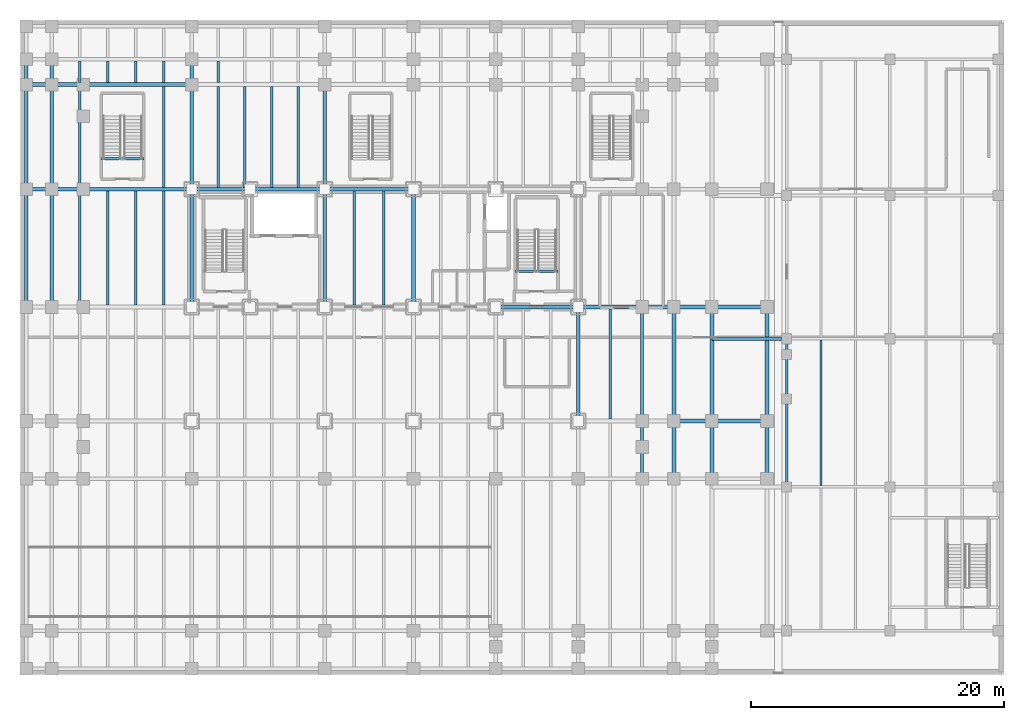
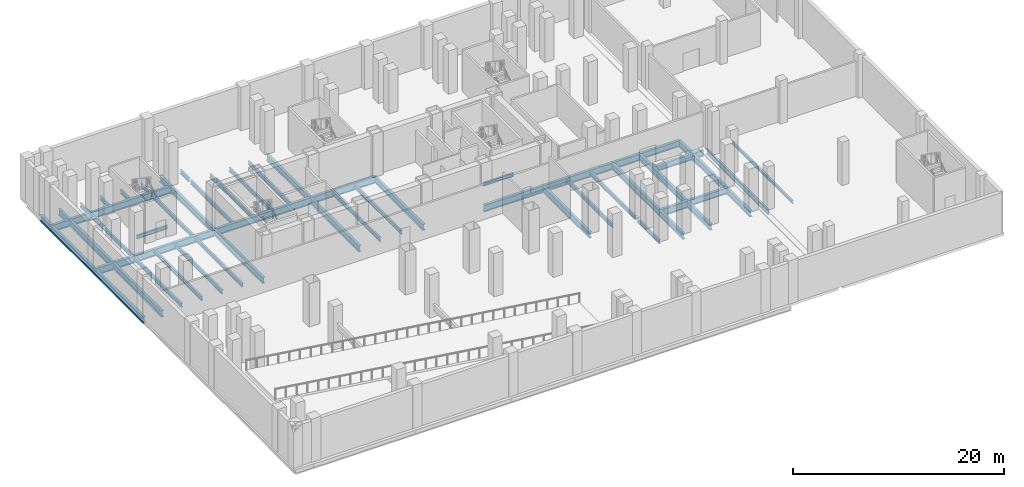
# One storey, part 4 of 18: 56 beams.
"""IFC4 building model written with IfcOpenShell, lengths in metres."""

from ifc_helpers import new_model, si_unit, direction, frame, origin, origin_2d, place, context, subcontext, project, spatial, i_section, extrude, material, material_profile, profile_set, type_object, element, save


model = new_model("IFC4")

# Units and contexts
model_context = context("Model", 3, precision=1e-05, world=origin(), true_north=direction((0.0, 1.0)))
body_context = subcontext(model_context, "Body", "Model", "MODEL_VIEW")
ifc_project = project(units=[si_unit("LENGTHUNIT", "METRE"), si_unit("AREAUNIT", "SQUARE_METRE"), si_unit("VOLUMEUNIT", "CUBIC_METRE"), si_unit("PLANEANGLEUNIT", "RADIAN"), si_unit("MASSUNIT", "GRAM", prefix="KILO")], contexts=[model_context])

# Site, building, storey
site_placement = place(None, origin())
site = spatial("IfcSite", under=ifc_project, at=site_placement, CompositionType="ELEMENT")
building_placement = place(site_placement, origin())
building = spatial("IfcBuilding", under=site, at=building_placement, Name="Noeulbin Bourse Tower", CompositionType="ELEMENT")
storey_placement = place(building_placement, frame((0.0, 0.0, -5.0)))
storey = spatial("IfcBuildingStorey", under=building, at=storey_placement, Name="B01", CompositionType="ELEMENT", Elevation=-5.0)

# Beams
ifc_material = material(Name="Steel S355", Category="steel")
ifc_material_profile_1 = material_profile(ifc_material, i_section(OverallWidth=0.199951171875, OverallDepth=0.60009765625, WebThickness=0.010986328125, FlangeThickness=0.01708984375, FilletRadius=0.02197265625, at=origin_2d()), Name="H-600x200x11x17", Category="LoadBearing")
ifc_profile_set_1 = profile_set([ifc_material_profile_1], Name="Steel S355")
beam_type_1 = type_object("IfcBeamType", Name="BM-GRD-600", PredefinedType="USERDEFINED", material=ifc_profile_set_1)
beam_1_placement = place(storey_placement, frame((60.449951171875, 14.800048828125, -0.580078125), z_axis=(0.0, 1.0, 0.0), x_axis=(-1.0, 0.0, 0.0)))
element("IfcBeam", 1, at=beam_1_placement, inside=storey, type_object=beam_type_1, Name="Market Hall Girder NS B01-12", ObjectType="GIRDER", PredefinedType="USERDEFINED", context=body_context, shape_type="SweptSolid", body=[
    extrude(i_section(OverallWidth=0.199951171875, OverallDepth=0.60009765625, WebThickness=0.010986328125, FlangeThickness=0.01708984375, FilletRadius=0.02197265625, at=origin_2d()), origin(), (0.0, 0.0, 1.0), 11.699951171875),
])
ifc_material_profile_2 = material_profile(ifc_material, i_section(OverallWidth=0.300048828125, OverallDepth=0.699951171875, WebThickness=0.012939453125, FlangeThickness=0.02392578125, FilletRadius=0.02392578125, at=origin_2d()), Name="H-700x300x13x24", Category="LoadBearing")
ifc_profile_set_2 = profile_set([ifc_material_profile_2], Name="Steel S355")
beam_type_2 = type_object("IfcBeamType", Name="BM-GRD-700", PredefinedType="USERDEFINED", material=ifc_profile_set_2)
beam_2_placement = place(storey_placement, frame((0.449951171875, 29.0, -0.6298828125), z_axis=(0.0, 1.0, 0.0), x_axis=(-1.0, 0.0, 0.0)))
element("IfcBeam", 2, at=beam_2_placement, inside=storey, type_object=beam_type_2, Name="Podium Primary Girder NS B01-077", ObjectType="GIRDER", PredefinedType="USERDEFINED", context=body_context, shape_type="SweptSolid", body=[
    extrude(i_section(OverallWidth=0.300048828125, OverallDepth=0.699951171875, WebThickness=0.012939453125, FlangeThickness=0.02392578125, FilletRadius=0.02392578125, at=origin_2d()), origin(), (0.0, 0.0, 1.0), 9.300048828125),
])
beam_3_placement = place(storey_placement, frame((0.449951171875, 38.300048828125, -0.6298828125), z_axis=(0.0, 1.0, 0.0), x_axis=(-1.0, 0.0, 0.0)))
element("IfcBeam", 3, at=beam_3_placement, inside=storey, type_object=beam_type_2, Name="Podium Primary Girder NS B01-078", ObjectType="GIRDER", PredefinedType="USERDEFINED", context=body_context, shape_type="SweptSolid", body=[
    extrude(i_section(OverallWidth=0.300048828125, OverallDepth=0.699951171875, WebThickness=0.012939453125, FlangeThickness=0.02392578125, FilletRadius=0.02392578125, at=origin_2d()), origin(), (0.0, 0.0, 1.0), 8.25),
])
beam_4_placement = place(storey_placement, frame((0.449951171875, 46.550048828125, -0.6298828125), z_axis=(0.0, 1.0, 0.0), x_axis=(-1.0, 0.0, 0.0)))
element("IfcBeam", 4, at=beam_4_placement, inside=storey, type_object=beam_type_2, Name="Podium Primary Girder NS B01-079", ObjectType="GIRDER", PredefinedType="USERDEFINED", context=body_context, shape_type="SweptSolid", body=[
    extrude(i_section(OverallWidth=0.300048828125, OverallDepth=0.699951171875, WebThickness=0.012939453125, FlangeThickness=0.02392578125, FilletRadius=0.02392578125, at=origin_2d()), origin(), (0.0, 0.0, 1.0), 2.0),
])
beam_5_placement = place(storey_placement, frame((2.449951171875, 29.0, -0.6298828125), z_axis=(0.0, 1.0, 0.0), x_axis=(-1.0, 0.0, 0.0)))
element("IfcBeam", 5, at=beam_5_placement, inside=storey, type_object=beam_type_2, Name="Podium Primary Girder NS B01-085", ObjectType="GIRDER", PredefinedType="USERDEFINED", context=body_context, shape_type="SweptSolid", body=[
    extrude(i_section(OverallWidth=0.300048828125, OverallDepth=0.699951171875, WebThickness=0.012939453125, FlangeThickness=0.02392578125, FilletRadius=0.02392578125, at=origin_2d()), origin(), (0.0, 0.0, 1.0), 9.300048828125),
])
beam_6_placement = place(storey_placement, frame((2.449951171875, 38.300048828125, -0.6298828125), z_axis=(0.0, 1.0, 0.0), x_axis=(-1.0, 0.0, 0.0)))
element("IfcBeam", 6, at=beam_6_placement, inside=storey, type_object=beam_type_2, Name="Podium Primary Girder NS B01-086", ObjectType="GIRDER", PredefinedType="USERDEFINED", context=body_context, shape_type="SweptSolid", body=[
    extrude(i_section(OverallWidth=0.300048828125, OverallDepth=0.699951171875, WebThickness=0.012939453125, FlangeThickness=0.02392578125, FilletRadius=0.02392578125, at=origin_2d()), origin(), (0.0, 0.0, 1.0), 8.25),
])
beam_7_placement = place(storey_placement, frame((2.449951171875, 46.550048828125, -0.6298828125), z_axis=(0.0, 1.0, 0.0), x_axis=(-1.0, 0.0, 0.0)))
element("IfcBeam", 7, at=beam_7_placement, inside=storey, type_object=beam_type_2, Name="Podium Primary Girder NS B01-087", ObjectType="GIRDER", PredefinedType="USERDEFINED", context=body_context, shape_type="SweptSolid", body=[
    extrude(i_section(OverallWidth=0.300048828125, OverallDepth=0.699951171875, WebThickness=0.012939453125, FlangeThickness=0.02392578125, FilletRadius=0.02392578125, at=origin_2d()), origin(), (0.0, 0.0, 1.0), 2.0),
])
beam_8_placement = place(storey_placement, frame((13.5, 29.0, -0.6298828125), z_axis=(0.0, 1.0, 0.0), x_axis=(-1.0, 0.0, 0.0)))
element("IfcBeam", 8, at=beam_8_placement, inside=storey, type_object=beam_type_2, Name="Podium Primary Girder NS B01-093", ObjectType="GIRDER", PredefinedType="USERDEFINED", context=body_context, shape_type="SweptSolid", body=[
    extrude(i_section(OverallWidth=0.300048828125, OverallDepth=0.699951171875, WebThickness=0.012939453125, FlangeThickness=0.02392578125, FilletRadius=0.02392578125, at=origin_2d()), origin(), (0.0, 0.0, 1.0), 9.300048828125),
])
beam_9_placement = place(storey_placement, frame((13.5, 38.300048828125, -0.6298828125), z_axis=(0.0, 1.0, 0.0), x_axis=(-1.0, 0.0, 0.0)))
element("IfcBeam", 9, at=beam_9_placement, inside=storey, type_object=beam_type_2, Name="Podium Primary Girder NS B01-094", ObjectType="GIRDER", PredefinedType="USERDEFINED", context=body_context, shape_type="SweptSolid", body=[
    extrude(i_section(OverallWidth=0.300048828125, OverallDepth=0.699951171875, WebThickness=0.012939453125, FlangeThickness=0.02392578125, FilletRadius=0.02392578125, at=origin_2d()), origin(), (0.0, 0.0, 1.0), 8.25),
])
beam_10_placement = place(storey_placement, frame((13.5, 46.550048828125, -0.6298828125), z_axis=(0.0, 1.0, 0.0), x_axis=(-1.0, 0.0, 0.0)))
element("IfcBeam", 10, at=beam_10_placement, inside=storey, type_object=beam_type_2, Name="Podium Primary Girder NS B01-095", ObjectType="GIRDER", PredefinedType="USERDEFINED", context=body_context, shape_type="SweptSolid", body=[
    extrude(i_section(OverallWidth=0.300048828125, OverallDepth=0.699951171875, WebThickness=0.012939453125, FlangeThickness=0.02392578125, FilletRadius=0.02392578125, at=origin_2d()), origin(), (0.0, 0.0, 1.0), 2.0),
])
beam_11_placement = place(storey_placement, frame((24.0, 29.0, -0.6298828125), z_axis=(0.0, 1.0, 0.0), x_axis=(-1.0, 0.0, 0.0)))
element("IfcBeam", 11, at=beam_11_placement, inside=storey, type_object=beam_type_2, Name="Podium Primary Girder NS B01-101", ObjectType="GIRDER", PredefinedType="USERDEFINED", context=body_context, shape_type="SweptSolid", body=[
    extrude(i_section(OverallWidth=0.300048828125, OverallDepth=0.699951171875, WebThickness=0.012939453125, FlangeThickness=0.02392578125, FilletRadius=0.02392578125, at=origin_2d()), origin(), (0.0, 0.0, 1.0), 9.300048828125),
])
beam_12_placement = place(storey_placement, frame((24.0, 38.300048828125, -0.6298828125), z_axis=(0.0, 1.0, 0.0), x_axis=(-1.0, 0.0, 0.0)))
element("IfcBeam", 12, at=beam_12_placement, inside=storey, type_object=beam_type_2, Name="Podium Primary Girder NS B01-102", ObjectType="GIRDER", PredefinedType="USERDEFINED", context=body_context, shape_type="SweptSolid", body=[
    extrude(i_section(OverallWidth=0.300048828125, OverallDepth=0.699951171875, WebThickness=0.012939453125, FlangeThickness=0.02392578125, FilletRadius=0.02392578125, at=origin_2d()), origin(), (0.0, 0.0, 1.0), 8.25),
])
beam_13_placement = place(storey_placement, frame((31.0, 29.0, -0.6298828125), z_axis=(0.0, 1.0, 0.0), x_axis=(-1.0, 0.0, 0.0)))
element("IfcBeam", 13, at=beam_13_placement, inside=storey, type_object=beam_type_2, Name="Podium Primary Girder NS B01-109", ObjectType="GIRDER", PredefinedType="USERDEFINED", context=body_context, shape_type="SweptSolid", body=[
    extrude(i_section(OverallWidth=0.300048828125, OverallDepth=0.699951171875, WebThickness=0.012939453125, FlangeThickness=0.02392578125, FilletRadius=0.02392578125, at=origin_2d()), origin(), (0.0, 0.0, 1.0), 9.300048828125),
])
beam_14_placement = place(storey_placement, frame((44.0, 20.0, -0.6298828125), z_axis=(0.0, 1.0, 0.0), x_axis=(-1.0, 0.0, 0.0)))
element("IfcBeam", 14, at=beam_14_placement, inside=storey, type_object=beam_type_2, Name="Podium Primary Girder NS B01-123", ObjectType="GIRDER", PredefinedType="USERDEFINED", context=body_context, shape_type="SweptSolid", body=[
    extrude(i_section(OverallWidth=0.300048828125, OverallDepth=0.699951171875, WebThickness=0.012939453125, FlangeThickness=0.02392578125, FilletRadius=0.02392578125, at=origin_2d()), origin(), (0.0, 0.0, 1.0), 9.0),
])
beam_15_placement = place(storey_placement, frame((51.550048828125, 15.449951171875, -0.6298828125), z_axis=(0.0, 1.0, 0.0), x_axis=(-1.0, 0.0, 0.0)))
element("IfcBeam", 15, at=beam_15_placement, inside=storey, type_object=beam_type_2, Name="Podium Primary Girder NS B01-130", ObjectType="GIRDER", PredefinedType="USERDEFINED", context=body_context, shape_type="SweptSolid", body=[
    extrude(i_section(OverallWidth=0.300048828125, OverallDepth=0.699951171875, WebThickness=0.012939453125, FlangeThickness=0.02392578125, FilletRadius=0.02392578125, at=origin_2d()), origin(), (0.0, 0.0, 1.0), 4.550048828125),
])
beam_16_placement = place(storey_placement, frame((51.550048828125, 20.0, -0.6298828125), z_axis=(0.0, 1.0, 0.0), x_axis=(-1.0, 0.0, 0.0)))
element("IfcBeam", 16, at=beam_16_placement, inside=storey, type_object=beam_type_2, Name="Podium Primary Girder NS B01-131", ObjectType="GIRDER", PredefinedType="USERDEFINED", context=body_context, shape_type="SweptSolid", body=[
    extrude(i_section(OverallWidth=0.300048828125, OverallDepth=0.699951171875, WebThickness=0.012939453125, FlangeThickness=0.02392578125, FilletRadius=0.02392578125, at=origin_2d()), origin(), (0.0, 0.0, 1.0), 9.0),
])
beam_17_placement = place(storey_placement, frame((54.550048828125, 15.449951171875, -0.6298828125), z_axis=(0.0, 1.0, 0.0), x_axis=(-1.0, 0.0, 0.0)))
element("IfcBeam", 17, at=beam_17_placement, inside=storey, type_object=beam_type_2, Name="Podium Primary Girder NS B01-138", ObjectType="GIRDER", PredefinedType="USERDEFINED", context=body_context, shape_type="SweptSolid", body=[
    extrude(i_section(OverallWidth=0.300048828125, OverallDepth=0.699951171875, WebThickness=0.012939453125, FlangeThickness=0.02392578125, FilletRadius=0.02392578125, at=origin_2d()), origin(), (0.0, 0.0, 1.0), 4.550048828125),
])
beam_18_placement = place(storey_placement, frame((54.550048828125, 20.0, -0.6298828125), z_axis=(0.0, 1.0, 0.0), x_axis=(-1.0, 0.0, 0.0)))
element("IfcBeam", 18, at=beam_18_placement, inside=storey, type_object=beam_type_2, Name="Podium Primary Girder NS B01-139", ObjectType="GIRDER", PredefinedType="USERDEFINED", context=body_context, shape_type="SweptSolid", body=[
    extrude(i_section(OverallWidth=0.300048828125, OverallDepth=0.699951171875, WebThickness=0.012939453125, FlangeThickness=0.02392578125, FilletRadius=0.02392578125, at=origin_2d()), origin(), (0.0, 0.0, 1.0), 9.0),
])
beam_19_placement = place(storey_placement, frame((54.550048828125, 26.5, -0.6298828125), z_axis=(1.0, 0.0, 0.0), x_axis=(0.0, 1.0, 0.0)))
element("IfcBeam", 19, at=beam_19_placement, inside=storey, type_object=beam_type_2, Name="Concourse Slot Girder B01-03", ObjectType="GIRDER", PredefinedType="USERDEFINED", context=body_context, shape_type="SweptSolid", body=[
    extrude(i_section(OverallWidth=0.300048828125, OverallDepth=0.699951171875, WebThickness=0.012939453125, FlangeThickness=0.02392578125, FilletRadius=0.02392578125, at=origin_2d()), origin(), (0.0, 0.0, 1.0), 5.5),
])
for number, where, z_axis, x_axis, name in (
    (20, (54.550048828125, 20.0, -0.6298828125), (1.0, 0.0, 0.0), (0.0, 1.0, 0.0), "BM-B01-JNT-EW-3"),
    (21, (54.550048828125, 29.0, -0.6298828125), (1.0, 0.0, 0.0), (0.0, 1.0, 0.0), "BM-B01-JNT-EW-4"),
):
    element("IfcBeam", number, at=place(storey_placement, frame(where, z_axis=z_axis, x_axis=x_axis)), inside=storey, type_object=beam_type_2, Name=name, ObjectType="GIRDER", PredefinedType="USERDEFINED", context=body_context, shape_type="SweptSolid", body=[
        extrude(i_section(OverallWidth=0.300048828125, OverallDepth=0.699951171875, WebThickness=0.012939453125, FlangeThickness=0.02392578125, FilletRadius=0.02392578125, at=origin_2d()), origin(), (0.0, 0.0, 1.0), 4.349853515625),
    ])
beam_20_placement = place(storey_placement, frame((58.89990234375, 15.449951171875, -0.6298828125), z_axis=(0.0, 1.0, 0.0), x_axis=(-1.0, 0.0, 0.0)))
element("IfcBeam", 22, at=beam_20_placement, inside=storey, type_object=beam_type_2, Name="BM-B01-JNT-NS-2", ObjectType="GIRDER", PredefinedType="USERDEFINED", context=body_context, shape_type="SweptSolid", body=[
    extrude(i_section(OverallWidth=0.300048828125, OverallDepth=0.699951171875, WebThickness=0.012939453125, FlangeThickness=0.02392578125, FilletRadius=0.02392578125, at=origin_2d()), origin(), (0.0, 0.0, 1.0), 4.550048828125),
])
beam_21_placement = place(storey_placement, frame((58.89990234375, 20.0, -0.6298828125), z_axis=(0.0, 1.0, 0.0), x_axis=(-1.0, 0.0, 0.0)))
element("IfcBeam", 23, at=beam_21_placement, inside=storey, type_object=beam_type_2, Name="BM-B01-JNT-NS-3", ObjectType="GIRDER", PredefinedType="USERDEFINED", context=body_context, shape_type="SweptSolid", body=[
    extrude(i_section(OverallWidth=0.300048828125, OverallDepth=0.699951171875, WebThickness=0.012939453125, FlangeThickness=0.02392578125, FilletRadius=0.02392578125, at=origin_2d()), origin(), (0.0, 0.0, 1.0), 9.0),
])
ifc_material_profile_3 = material_profile(ifc_material, i_section(OverallWidth=0.300048828125, OverallDepth=0.800048828125, WebThickness=0.013916015625, FlangeThickness=0.02587890625, FilletRadius=0.02587890625, at=origin_2d()), Name="H-800x300x14x26", Category="LoadBearing")
ifc_profile_set_3 = profile_set([ifc_material_profile_3], Name="Steel S355")
beam_type_3 = type_object("IfcBeamType", Name="BM-GRD-800", PredefinedType="USERDEFINED", material=ifc_profile_set_3)
beam_22_placement = place(storey_placement, frame((51.550048828125, 20.0, -0.679931640625), z_axis=(1.0, 0.0, 0.0), x_axis=(0.0, 1.0, 0.0)))
element("IfcBeam", 24, at=beam_22_placement, inside=storey, type_object=beam_type_3, Name="Podium Primary Girder EW B01-032", ObjectType="GIRDER", PredefinedType="USERDEFINED", context=body_context, shape_type="SweptSolid", body=[
    extrude(i_section(OverallWidth=0.300048828125, OverallDepth=0.800048828125, WebThickness=0.013916015625, FlangeThickness=0.02587890625, FilletRadius=0.02587890625, at=origin_2d()), origin(), (0.0, 0.0, 1.0), 3.0),
])
beam_23_placement = place(storey_placement, frame((37.5, 29.0, -0.679931640625), z_axis=(1.0, 0.0, 0.0), x_axis=(0.0, 1.0, 0.0)))
element("IfcBeam", 25, at=beam_23_placement, inside=storey, type_object=beam_type_3, Name="Podium Primary Girder EW B01-038", ObjectType="GIRDER", PredefinedType="USERDEFINED", context=body_context, shape_type="SweptSolid", body=[
    extrude(i_section(OverallWidth=0.300048828125, OverallDepth=0.800048828125, WebThickness=0.013916015625, FlangeThickness=0.02587890625, FilletRadius=0.02587890625, at=origin_2d()), origin(), (0.0, 0.0, 1.0), 6.5),
])
beam_24_placement = place(storey_placement, frame((44.0, 29.0, -0.679931640625), z_axis=(1.0, 0.0, 0.0), x_axis=(0.0, 1.0, 0.0)))
element("IfcBeam", 26, at=beam_24_placement, inside=storey, type_object=beam_type_3, Name="Podium Primary Girder EW B01-039", ObjectType="GIRDER", PredefinedType="USERDEFINED", context=body_context, shape_type="SweptSolid", body=[
    extrude(i_section(OverallWidth=0.300048828125, OverallDepth=0.800048828125, WebThickness=0.013916015625, FlangeThickness=0.02587890625, FilletRadius=0.02587890625, at=origin_2d()), origin(), (0.0, 0.0, 1.0), 7.550048828125),
])
beam_25_placement = place(storey_placement, frame((51.550048828125, 29.0, -0.679931640625), z_axis=(1.0, 0.0, 0.0), x_axis=(0.0, 1.0, 0.0)))
element("IfcBeam", 27, at=beam_25_placement, inside=storey, type_object=beam_type_3, Name="Podium Primary Girder EW B01-040", ObjectType="GIRDER", PredefinedType="USERDEFINED", context=body_context, shape_type="SweptSolid", body=[
    extrude(i_section(OverallWidth=0.300048828125, OverallDepth=0.800048828125, WebThickness=0.013916015625, FlangeThickness=0.02587890625, FilletRadius=0.02587890625, at=origin_2d()), origin(), (0.0, 0.0, 1.0), 3.0),
])
beam_26_placement = place(storey_placement, frame((0.449951171875, 38.300048828125, -0.679931640625), z_axis=(1.0, 0.0, 0.0), x_axis=(0.0, 1.0, 0.0)))
element("IfcBeam", 28, at=beam_26_placement, inside=storey, type_object=beam_type_3, Name="Podium Primary Girder EW B01-041", ObjectType="GIRDER", PredefinedType="USERDEFINED", context=body_context, shape_type="SweptSolid", body=[
    extrude(i_section(OverallWidth=0.300048828125, OverallDepth=0.800048828125, WebThickness=0.013916015625, FlangeThickness=0.02587890625, FilletRadius=0.02587890625, at=origin_2d()), origin(), (0.0, 0.0, 1.0), 2.0),
])
beam_27_placement = place(storey_placement, frame((2.449951171875, 38.300048828125, -0.679931640625), z_axis=(1.0, 0.0, 0.0), x_axis=(0.0, 1.0, 0.0)))
element("IfcBeam", 29, at=beam_27_placement, inside=storey, type_object=beam_type_3, Name="Podium Primary Girder EW B01-042", ObjectType="GIRDER", PredefinedType="USERDEFINED", context=body_context, shape_type="SweptSolid", body=[
    extrude(i_section(OverallWidth=0.300048828125, OverallDepth=0.800048828125, WebThickness=0.013916015625, FlangeThickness=0.02587890625, FilletRadius=0.02587890625, at=origin_2d()), origin(), (0.0, 0.0, 1.0), 11.050048828125),
])
beam_28_placement = place(storey_placement, frame((13.5, 38.300048828125, -0.679931640625), z_axis=(1.0, 0.0, 0.0), x_axis=(0.0, 1.0, 0.0)))
element("IfcBeam", 30, at=beam_28_placement, inside=storey, type_object=beam_type_3, Name="Podium Primary Girder EW B01-043", ObjectType="GIRDER", PredefinedType="USERDEFINED", context=body_context, shape_type="SweptSolid", body=[
    extrude(i_section(OverallWidth=0.300048828125, OverallDepth=0.800048828125, WebThickness=0.013916015625, FlangeThickness=0.02587890625, FilletRadius=0.02587890625, at=origin_2d()), origin(), (0.0, 0.0, 1.0), 10.5),
])
beam_29_placement = place(storey_placement, frame((24.0, 38.300048828125, -0.679931640625), z_axis=(1.0, 0.0, 0.0), x_axis=(0.0, 1.0, 0.0)))
element("IfcBeam", 31, at=beam_29_placement, inside=storey, type_object=beam_type_3, Name="Podium Primary Girder EW B01-044", ObjectType="GIRDER", PredefinedType="USERDEFINED", context=body_context, shape_type="SweptSolid", body=[
    extrude(i_section(OverallWidth=0.300048828125, OverallDepth=0.800048828125, WebThickness=0.013916015625, FlangeThickness=0.02587890625, FilletRadius=0.02587890625, at=origin_2d()), origin(), (0.0, 0.0, 1.0), 7.0),
])
beam_30_placement = place(storey_placement, frame((0.449951171875, 46.550048828125, -0.679931640625), z_axis=(1.0, 0.0, 0.0), x_axis=(0.0, 1.0, 0.0)))
element("IfcBeam", 32, at=beam_30_placement, inside=storey, type_object=beam_type_3, Name="Podium Primary Girder EW B01-049", ObjectType="GIRDER", PredefinedType="USERDEFINED", context=body_context, shape_type="SweptSolid", body=[
    extrude(i_section(OverallWidth=0.300048828125, OverallDepth=0.800048828125, WebThickness=0.013916015625, FlangeThickness=0.02587890625, FilletRadius=0.02587890625, at=origin_2d()), origin(), (0.0, 0.0, 1.0), 2.0),
])
beam_31_placement = place(storey_placement, frame((2.449951171875, 46.550048828125, -0.679931640625), z_axis=(1.0, 0.0, 0.0), x_axis=(0.0, 1.0, 0.0)))
element("IfcBeam", 33, at=beam_31_placement, inside=storey, type_object=beam_type_3, Name="Podium Primary Girder EW B01-050", ObjectType="GIRDER", PredefinedType="USERDEFINED", context=body_context, shape_type="SweptSolid", body=[
    extrude(i_section(OverallWidth=0.300048828125, OverallDepth=0.800048828125, WebThickness=0.013916015625, FlangeThickness=0.02587890625, FilletRadius=0.02587890625, at=origin_2d()), origin(), (0.0, 0.0, 1.0), 11.050048828125),
])
ifc_material_profile_4 = material_profile(ifc_material, i_section(OverallWidth=0.175048828125, OverallDepth=0.35009765625, WebThickness=0.007080078125, FlangeThickness=0.010986328125, FilletRadius=0.013916015625, at=origin_2d()), Name="H-350x175x7x11", Category="LoadBearing")
ifc_profile_set_4 = profile_set([ifc_material_profile_4], Name="Steel S355")
beam_type_4 = type_object("IfcBeamType", Name="BM-JST-350", PredefinedType="JOIST", material=ifc_profile_set_4)
beam_32_placement = place(storey_placement, frame((63.166748046875, 14.89990234375, -0.455078125), z_axis=(0.0, 1.0, 0.0), x_axis=(-1.0, 0.0, 0.0)))
element("IfcBeam", 34, at=beam_32_placement, inside=storey, type_object=beam_type_4, Name="Market Hall Secondary Joist B01-02", PredefinedType="JOIST", context=body_context, shape_type="SweptSolid", body=[
    extrude(i_section(OverallWidth=0.175048828125, OverallDepth=0.35009765625, WebThickness=0.007080078125, FlangeThickness=0.010986328125, FilletRadius=0.013916015625, at=origin_2d()), origin(), (0.0, 0.0, 1.0), 11.5),
])
ifc_material_profile_5 = material_profile(ifc_material, i_section(OverallWidth=0.199951171875, OverallDepth=0.39990234375, WebThickness=0.008056640625, FlangeThickness=0.012939453125, FilletRadius=0.01611328125, at=origin_2d()), Name="H-400x200x8x13", Category="LoadBearing")
ifc_profile_set_5 = profile_set([ifc_material_profile_5], Name="Steel S355")
beam_type_5 = type_object("IfcBeamType", Name="BM-SEC-400", PredefinedType="BEAM", material=ifc_profile_set_5)
beam_33_placement = place(storey_placement, frame((39.06005859375, 31.820068359375, -0.199951171875), z_axis=(1.0, 0.0, 0.0), x_axis=(0.0, 1.0, 0.0)))
element("IfcBeam", 35, at=beam_33_placement, inside=storey, type_object=beam_type_5, Name="Stair Threshold Trimmer Beam ST2-B01", PredefinedType="BEAM", context=body_context, shape_type="SweptSolid", body=[
    extrude(i_section(OverallWidth=0.199951171875, OverallDepth=0.39990234375, WebThickness=0.008056640625, FlangeThickness=0.012939453125, FilletRadius=0.01611328125, at=origin_2d()), origin(), (0.0, 0.0, 1.0), 3.33984375),
])
beam_34_placement = place(storey_placement, frame((6.360107421875, 40.68994140625, -0.199951171875), z_axis=(1.0, 0.0, 0.0), x_axis=(0.0, 1.0, 0.0)))
element("IfcBeam", 36, at=beam_34_placement, inside=storey, type_object=beam_type_5, Name="Stair Threshold Trimmer Beam STS1-B01", PredefinedType="BEAM", context=body_context, shape_type="SweptSolid", body=[
    extrude(i_section(OverallWidth=0.199951171875, OverallDepth=0.39990234375, WebThickness=0.008056640625, FlangeThickness=0.012939453125, FilletRadius=0.01611328125, at=origin_2d()), origin(), (0.0, 0.0, 1.0), 3.35986328125),
])
ifc_material_profile_6 = material_profile(ifc_material, i_section(OverallWidth=0.199951171875, OverallDepth=0.449951171875, WebThickness=0.009033203125, FlangeThickness=0.013916015625, FilletRadius=0.01806640625, at=origin_2d()), Name="H-450x200x9x14", Category="LoadBearing")
ifc_profile_set_6 = profile_set([ifc_material_profile_6], Name="Steel S355")
beam_type_6 = type_object("IfcBeamType", Name="BM-SEC-450", PredefinedType="BEAM", material=ifc_profile_set_6)
beam_35_placement = place(storey_placement, frame((4.659912109375, 29.14990234375, -0.5048828125), z_axis=(0.0, 1.0, 0.0), x_axis=(-1.0, 0.0, 0.0)))
element("IfcBeam", 37, at=beam_35_placement, inside=storey, type_object=beam_type_6, Name="Podium Secondary Beam B01-005", PredefinedType="BEAM", context=body_context, shape_type="SweptSolid", body=[
    extrude(i_section(OverallWidth=0.199951171875, OverallDepth=0.449951171875, WebThickness=0.009033203125, FlangeThickness=0.013916015625, FilletRadius=0.01806640625, at=origin_2d()), origin(), (0.0, 0.0, 1.0), 9.0),
])
beam_36_placement = place(storey_placement, frame((4.659912109375, 38.449951171875, -0.5048828125), z_axis=(0.0, 1.0, 0.0), x_axis=(-1.0, 0.0, 0.0)))
element("IfcBeam", 38, at=beam_36_placement, inside=storey, type_object=beam_type_6, Name="Podium Secondary Beam B01-006", PredefinedType="BEAM", context=body_context, shape_type="SweptSolid", body=[
    extrude(i_section(OverallWidth=0.199951171875, OverallDepth=0.449951171875, WebThickness=0.009033203125, FlangeThickness=0.013916015625, FilletRadius=0.01806640625, at=origin_2d()), origin(), (0.0, 0.0, 1.0), 7.949951171875),
])
beam_37_placement = place(storey_placement, frame((4.659912109375, 46.699951171875, -0.5048828125), z_axis=(0.0, 1.0, 0.0), x_axis=(-1.0, 0.0, 0.0)))
element("IfcBeam", 39, at=beam_37_placement, inside=storey, type_object=beam_type_6, Name="Podium Secondary Beam B01-007", PredefinedType="BEAM", context=body_context, shape_type="SweptSolid", body=[
    extrude(i_section(OverallWidth=0.199951171875, OverallDepth=0.449951171875, WebThickness=0.009033203125, FlangeThickness=0.013916015625, FilletRadius=0.01806640625, at=origin_2d()), origin(), (0.0, 0.0, 1.0), 1.699951171875),
])
beam_38_placement = place(storey_placement, frame((6.8701171875, 29.14990234375, -0.5048828125), z_axis=(0.0, 1.0, 0.0), x_axis=(-1.0, 0.0, 0.0)))
element("IfcBeam", 40, at=beam_38_placement, inside=storey, type_object=beam_type_6, Name="Podium Secondary Beam B01-013", PredefinedType="BEAM", context=body_context, shape_type="SweptSolid", body=[
    extrude(i_section(OverallWidth=0.199951171875, OverallDepth=0.449951171875, WebThickness=0.009033203125, FlangeThickness=0.013916015625, FilletRadius=0.01806640625, at=origin_2d()), origin(), (0.0, 0.0, 1.0), 9.0),
])
beam_39_placement = place(storey_placement, frame((6.8701171875, 46.699951171875, -0.5048828125), z_axis=(0.0, 1.0, 0.0), x_axis=(-1.0, 0.0, 0.0)))
element("IfcBeam", 41, at=beam_39_placement, inside=storey, type_object=beam_type_6, Name="Podium Secondary Beam B01-014", PredefinedType="BEAM", context=body_context, shape_type="SweptSolid", body=[
    extrude(i_section(OverallWidth=0.199951171875, OverallDepth=0.449951171875, WebThickness=0.009033203125, FlangeThickness=0.013916015625, FilletRadius=0.01806640625, at=origin_2d()), origin(), (0.0, 0.0, 1.0), 1.699951171875),
])
beam_40_placement = place(storey_placement, frame((9.080078125, 29.14990234375, -0.5048828125), z_axis=(0.0, 1.0, 0.0), x_axis=(-1.0, 0.0, 0.0)))
element("IfcBeam", 42, at=beam_40_placement, inside=storey, type_object=beam_type_6, Name="Podium Secondary Beam B01-020", PredefinedType="BEAM", context=body_context, shape_type="SweptSolid", body=[
    extrude(i_section(OverallWidth=0.199951171875, OverallDepth=0.449951171875, WebThickness=0.009033203125, FlangeThickness=0.013916015625, FilletRadius=0.01806640625, at=origin_2d()), origin(), (0.0, 0.0, 1.0), 9.0),
])
beam_41_placement = place(storey_placement, frame((9.080078125, 46.699951171875, -0.5048828125), z_axis=(0.0, 1.0, 0.0), x_axis=(-1.0, 0.0, 0.0)))
element("IfcBeam", 43, at=beam_41_placement, inside=storey, type_object=beam_type_6, Name="Podium Secondary Beam B01-021", PredefinedType="BEAM", context=body_context, shape_type="SweptSolid", body=[
    extrude(i_section(OverallWidth=0.199951171875, OverallDepth=0.449951171875, WebThickness=0.009033203125, FlangeThickness=0.013916015625, FilletRadius=0.01806640625, at=origin_2d()), origin(), (0.0, 0.0, 1.0), 1.699951171875),
])
beam_42_placement = place(storey_placement, frame((11.2900390625, 29.14990234375, -0.5048828125), z_axis=(0.0, 1.0, 0.0), x_axis=(-1.0, 0.0, 0.0)))
element("IfcBeam", 44, at=beam_42_placement, inside=storey, type_object=beam_type_6, Name="Podium Secondary Beam B01-027", PredefinedType="BEAM", context=body_context, shape_type="SweptSolid", body=[
    extrude(i_section(OverallWidth=0.199951171875, OverallDepth=0.449951171875, WebThickness=0.009033203125, FlangeThickness=0.013916015625, FilletRadius=0.01806640625, at=origin_2d()), origin(), (0.0, 0.0, 1.0), 9.0),
])
beam_43_placement = place(storey_placement, frame((11.2900390625, 38.449951171875, -0.5048828125), z_axis=(0.0, 1.0, 0.0), x_axis=(-1.0, 0.0, 0.0)))
element("IfcBeam", 45, at=beam_43_placement, inside=storey, type_object=beam_type_6, Name="Podium Secondary Beam B01-028", PredefinedType="BEAM", context=body_context, shape_type="SweptSolid", body=[
    extrude(i_section(OverallWidth=0.199951171875, OverallDepth=0.449951171875, WebThickness=0.009033203125, FlangeThickness=0.013916015625, FilletRadius=0.01806640625, at=origin_2d()), origin(), (0.0, 0.0, 1.0), 7.949951171875),
])
beam_44_placement = place(storey_placement, frame((11.2900390625, 46.699951171875, -0.5048828125), z_axis=(0.0, 1.0, 0.0), x_axis=(-1.0, 0.0, 0.0)))
element("IfcBeam", 46, at=beam_44_placement, inside=storey, type_object=beam_type_6, Name="Podium Secondary Beam B01-029", PredefinedType="BEAM", context=body_context, shape_type="SweptSolid", body=[
    extrude(i_section(OverallWidth=0.199951171875, OverallDepth=0.449951171875, WebThickness=0.009033203125, FlangeThickness=0.013916015625, FilletRadius=0.01806640625, at=origin_2d()), origin(), (0.0, 0.0, 1.0), 1.699951171875),
])
beam_45_placement = place(storey_placement, frame((15.60009765625, 38.449951171875, -0.5048828125), z_axis=(0.0, 1.0, 0.0), x_axis=(-1.0, 0.0, 0.0)))
element("IfcBeam", 47, at=beam_45_placement, inside=storey, type_object=beam_type_6, Name="Podium Secondary Beam B01-035", PredefinedType="BEAM", context=body_context, shape_type="SweptSolid", body=[
    extrude(i_section(OverallWidth=0.199951171875, OverallDepth=0.449951171875, WebThickness=0.009033203125, FlangeThickness=0.013916015625, FilletRadius=0.01806640625, at=origin_2d()), origin(), (0.0, 0.0, 1.0), 7.949951171875),
])
beam_46_placement = place(storey_placement, frame((15.60009765625, 46.699951171875, -0.5048828125), z_axis=(0.0, 1.0, 0.0), x_axis=(-1.0, 0.0, 0.0)))
element("IfcBeam", 48, at=beam_46_placement, inside=storey, type_object=beam_type_6, Name="Podium Secondary Beam B01-036", PredefinedType="BEAM", context=body_context, shape_type="SweptSolid", body=[
    extrude(i_section(OverallWidth=0.199951171875, OverallDepth=0.449951171875, WebThickness=0.009033203125, FlangeThickness=0.013916015625, FilletRadius=0.01806640625, at=origin_2d()), origin(), (0.0, 0.0, 1.0), 1.699951171875),
])
for number, where, z_axis, x_axis, name in (
    (49, (17.699951171875, 38.449951171875, -0.5048828125), (0.0, 1.0, 0.0), (-1.0, 0.0, 0.0), "Podium Secondary Beam B01-042"),
    (50, (19.800048828125, 38.449951171875, -0.5048828125), (0.0, 1.0, 0.0), (-1.0, 0.0, 0.0), "Podium Secondary Beam B01-049"),
    (51, (21.89990234375, 38.449951171875, -0.5048828125), (0.0, 1.0, 0.0), (-1.0, 0.0, 0.0), "Podium Secondary Beam B01-056"),
):
    element("IfcBeam", number, at=place(storey_placement, frame(where, z_axis=z_axis, x_axis=x_axis)), inside=storey, type_object=beam_type_6, Name=name, PredefinedType="BEAM", context=body_context, shape_type="SweptSolid", body=[
        extrude(i_section(OverallWidth=0.199951171875, OverallDepth=0.449951171875, WebThickness=0.009033203125, FlangeThickness=0.013916015625, FilletRadius=0.01806640625, at=origin_2d()), origin(), (0.0, 0.0, 1.0), 7.949951171875),
    ])
for number, where, z_axis, x_axis, name in (
    (52, (26.333251953125, 29.14990234375, -0.5048828125), (0.0, 1.0, 0.0), (-1.0, 0.0, 0.0), "Podium Secondary Beam B01-063"),
    (53, (28.666748046875, 29.14990234375, -0.5048828125), (0.0, 1.0, 0.0), (-1.0, 0.0, 0.0), "Podium Secondary Beam B01-070"),
):
    element("IfcBeam", number, at=place(storey_placement, frame(where, z_axis=z_axis, x_axis=x_axis)), inside=storey, type_object=beam_type_6, Name=name, PredefinedType="BEAM", context=body_context, shape_type="SweptSolid", body=[
        extrude(i_section(OverallWidth=0.199951171875, OverallDepth=0.449951171875, WebThickness=0.009033203125, FlangeThickness=0.013916015625, FilletRadius=0.01806640625, at=origin_2d()), origin(), (0.0, 0.0, 1.0), 9.0),
    ])
beam_47_placement = place(storey_placement, frame((46.5166015625, 20.14990234375, -0.5048828125), z_axis=(0.0, 1.0, 0.0), x_axis=(-1.0, 0.0, 0.0)))
element("IfcBeam", 54, at=beam_47_placement, inside=storey, type_object=beam_type_6, Name="Podium Secondary Beam B01-106", PredefinedType="BEAM", context=body_context, shape_type="SweptSolid", body=[
    extrude(i_section(OverallWidth=0.199951171875, OverallDepth=0.449951171875, WebThickness=0.009033203125, FlangeThickness=0.013916015625, FilletRadius=0.01806640625, at=origin_2d()), origin(), (0.0, 0.0, 1.0), 8.7001953125),
])
beam_48_placement = place(storey_placement, frame((49.033203125, 15.60009765625, -0.5048828125), z_axis=(0.0, 1.0, 0.0), x_axis=(-1.0, 0.0, 0.0)))
element("IfcBeam", 55, at=beam_48_placement, inside=storey, type_object=beam_type_6, Name="Podium Secondary Beam B01-112", PredefinedType="BEAM", context=body_context, shape_type="SweptSolid", body=[
    extrude(i_section(OverallWidth=0.199951171875, OverallDepth=0.449951171875, WebThickness=0.009033203125, FlangeThickness=0.013916015625, FilletRadius=0.01806640625, at=origin_2d()), origin(), (0.0, 0.0, 1.0), 4.25),
])
beam_49_placement = place(storey_placement, frame((49.033203125, 20.14990234375, -0.5048828125), z_axis=(0.0, 1.0, 0.0), x_axis=(-1.0, 0.0, 0.0)))
element("IfcBeam", 56, at=beam_49_placement, inside=storey, type_object=beam_type_6, Name="Podium Secondary Beam B01-113", PredefinedType="BEAM", context=body_context, shape_type="SweptSolid", body=[
    extrude(i_section(OverallWidth=0.199951171875, OverallDepth=0.449951171875, WebThickness=0.009033203125, FlangeThickness=0.013916015625, FilletRadius=0.01806640625, at=origin_2d()), origin(), (0.0, 0.0, 1.0), 8.7001953125),
])

save(model, "model.ifc")
